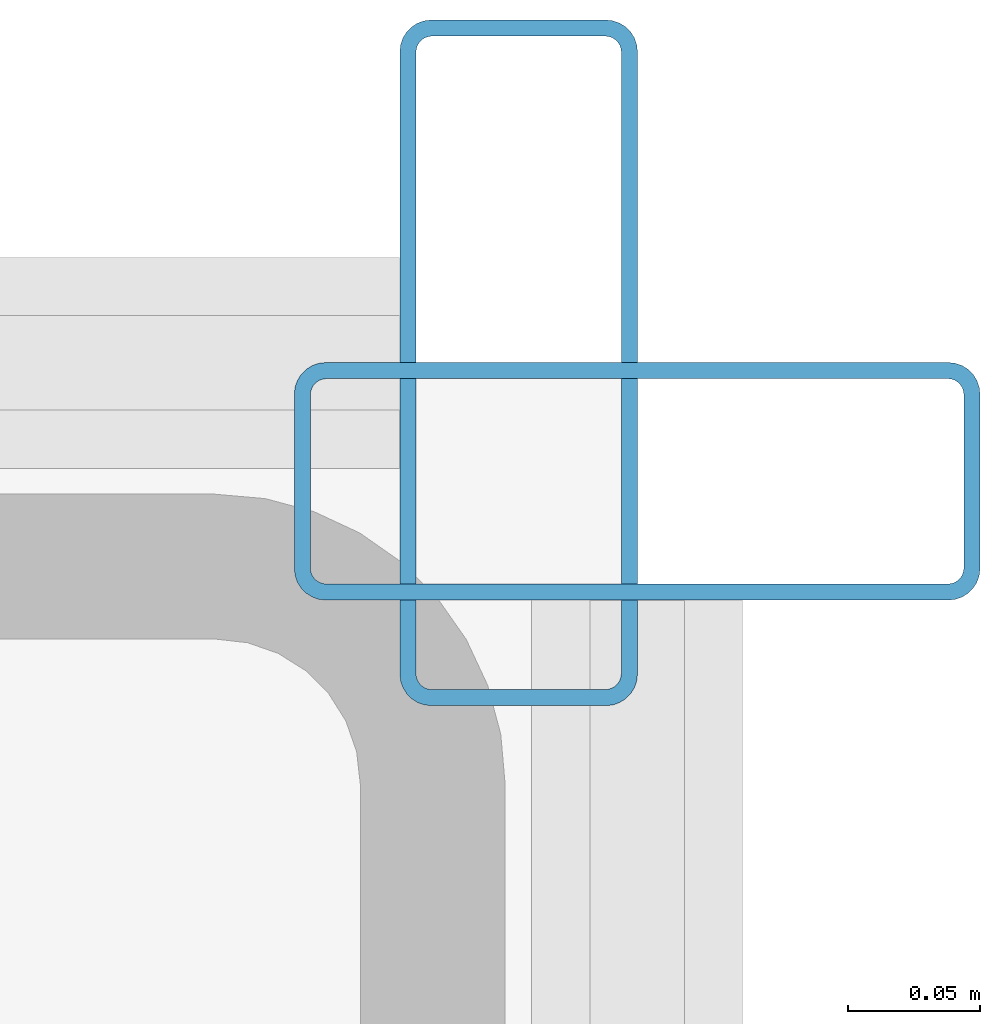
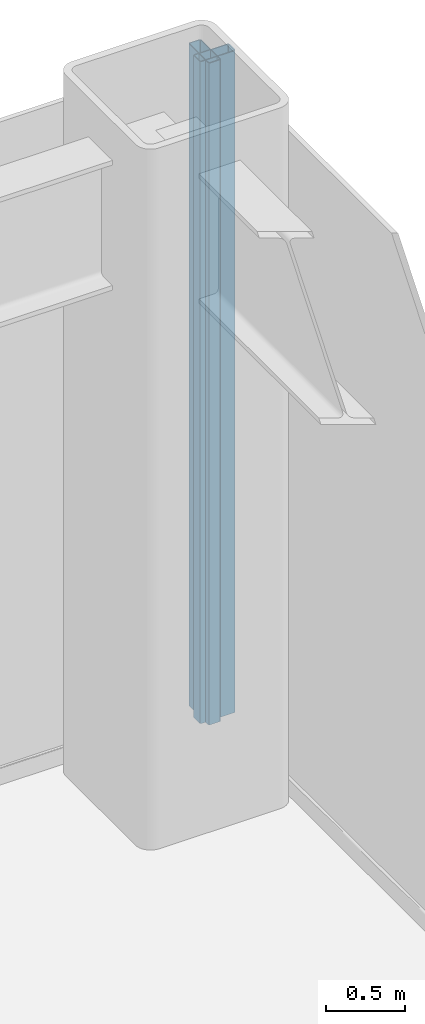
# One storey, part 15 of 24: 2 members, 2 elements without a shape of their own.
"""IFC4 building model written with IfcOpenShell, lengths in metres."""

from ifc_helpers import new_model, si_unit, direction, frame, origin, origin_2d, place, context, subcontext, project, spatial, hollow_rectangle, extrude, source, transform, mapped, material, layer, layer_set, material_profile, profile_set, type_object, element, aggregate, save


model = new_model("IFC4")

# Units and contexts
model_context = context("Model", 3, precision=1e-05, world=origin(), true_north=direction((0.0, 1.0)))
body_context = subcontext(model_context, "Body", "Model", "MODEL_VIEW")
ifc_project = project(units=[si_unit("LENGTHUNIT", "METRE"), si_unit("AREAUNIT", "SQUARE_METRE"), si_unit("VOLUMEUNIT", "CUBIC_METRE"), si_unit("PLANEANGLEUNIT", "RADIAN"), si_unit("MASSUNIT", "GRAM", prefix="KILO")], contexts=[model_context])

# Site, building, storey
site_placement = place(None, origin())
site = spatial("IfcSite", under=ifc_project, at=site_placement, CompositionType="ELEMENT")
building_placement = place(site_placement, origin())
building = spatial("IfcBuilding", under=site, at=building_placement, Name="Nefas-Gora Pilgrimage Tower", CompositionType="ELEMENT")
storey_placement = place(building_placement, frame((0.0, 0.0, 16.800048828125)))
storey = spatial("IfcBuildingStorey", under=building, at=storey_placement, Name="L03", CompositionType="ELEMENT", Elevation=16.800048828125)

# Curtain wall, member
ifc_material_1 = material(Name="Dark ceramic-fritted solar-control aluminium-glass curtain wall", Category="aluminium")
ifc_layer = layer(ifc_material_1, 0.219970703125)
ifc_layer_set = layer_set([ifc_layer], Name="Dark ceramic-fritted solar-control aluminium-glass curtain wall")
curtain_wall_type = type_object("IfcCurtainWallType", Name="CW-SYS-1", PredefinedType="NOTDEFINED", material=ifc_layer_set)
curtain_wall_1_placement = place(storey_placement, origin())
curtain_wall_1 = element("IfcCurtainWall", 1, at=curtain_wall_1_placement, inside=storey, type_object=curtain_wall_type, Name="L03 Unitised Curtain Wall CW1", PredefinedType="NOTDEFINED")
ifc_material_2 = material(Name="Anodised architectural aluminium", Category="aluminium")
ifc_material_profile = material_profile(ifc_material_2, hollow_rectangle(XDim=0.090087890625, YDim=0.260009765625, WallThickness=0.006103515625, InnerFilletRadius=0.006103515625, OuterFilletRadius=0.011962890625, at=origin_2d()), Name="ALU MULLION 90x260")
ifc_profile_set = profile_set([ifc_material_profile], Name="Anodised architectural aluminium")
member_type = type_object("IfcMemberType", Name="CWM-MUL-1", PredefinedType="MULLION", material=ifc_profile_set)
shared_shape = source(origin(), body_context, "Body", "SweptSolid", [
    extrude(hollow_rectangle(XDim=0.090087890625, YDim=0.260009765625, WallThickness=0.006103515625, InnerFilletRadius=0.006103515625, OuterFilletRadius=0.011962890625, at=origin_2d()), origin(), (0.0, 0.0, 1.0), 5.099853515625),
])
member_1_placement = place(storey_placement, frame((38.25, 25.155029296875, 0.0), z_axis=(0.0, 0.0, 1.0), x_axis=(0.0, 1.0, 0.0)))
member_1 = element("IfcMember", 2, at=member_1_placement, type_object=member_type, Name="CW1 Mullion 3", PredefinedType="MULLION", context=body_context, shape_type="MappedRepresentation", body=[
    mapped(shared_shape, transform((0.0, 0.0, 0.0), x_axis=(1.0, 0.0, 0.0), y_axis=(0.0, 1.0, 0.0), z_axis=(0.0, 0.0, 1.0), scale=1.0)),
])
aggregate(curtain_wall_1, [member_1])

curtain_wall_2_placement = place(storey_placement, origin())
curtain_wall_2 = element("IfcCurtainWall", 3, at=curtain_wall_2_placement, inside=storey, type_object=curtain_wall_type, Name="L03 Unitised Curtain Wall CW1", PredefinedType="NOTDEFINED")
member_2_placement = place(storey_placement, frame((38.205078125, 25.199951171875, 0.0), z_axis=(0.0, 0.0, 1.0), x_axis=(-1.0, 0.0, 0.0)))
member_2 = element("IfcMember", 4, at=member_2_placement, type_object=member_type, Name="CW1 Mullion 1", PredefinedType="MULLION", context=body_context, shape_type="MappedRepresentation", body=[
    mapped(shared_shape, transform((0.0, 0.0, 0.0), x_axis=(1.0, 0.0, 0.0), y_axis=(0.0, 1.0, 0.0), z_axis=(0.0, 0.0, 1.0), scale=1.0)),
])
aggregate(curtain_wall_2, [member_2])

save(model, "model.ifc")
